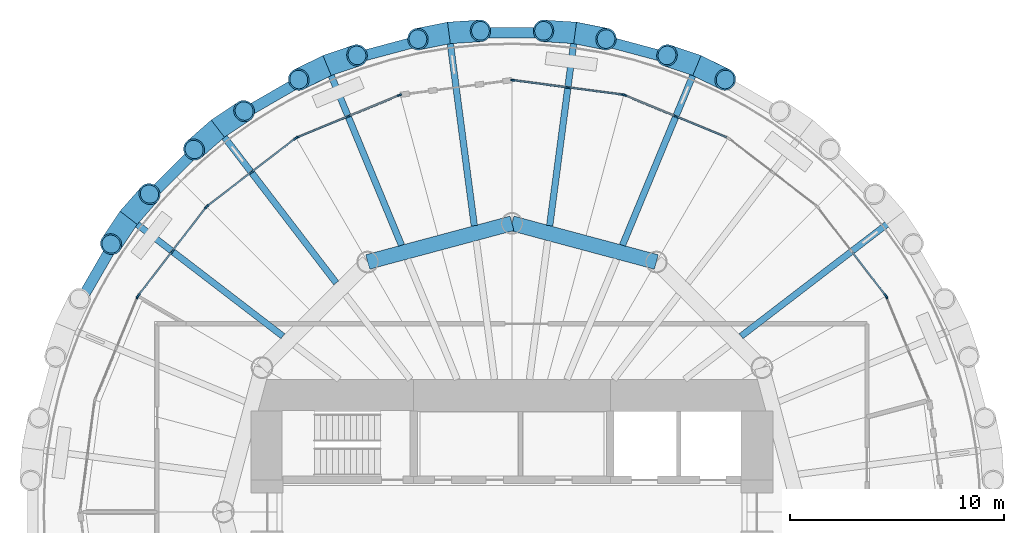
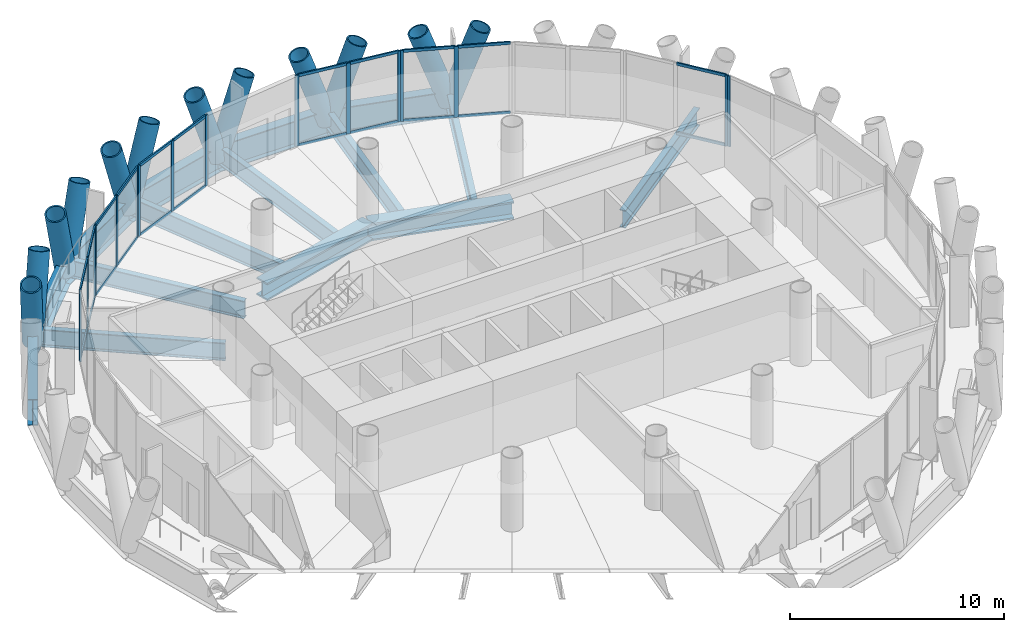
# One storey, part 5 of 13: 51 members, 15 beams, 8 elements without a shape of their own.
"""IFC4 building model written with IfcOpenShell, lengths in metres."""

from ifc_helpers import new_model, si_unit, direction, frame, origin, origin_2d, place, context, subcontext, project, spatial, rectangle, hollow_circle, i_section, extrude, material, material_profile, profile_set, type_object, element, aggregate, save


model = new_model("IFC4")

# Units and contexts
model_context = context("Model", 3, precision=1e-05, world=origin(), true_north=direction((0.0, 1.0)))
body_context = subcontext(model_context, "Body", "Model", "MODEL_VIEW")
ifc_project = project(units=[si_unit("LENGTHUNIT", "METRE"), si_unit("AREAUNIT", "SQUARE_METRE"), si_unit("VOLUMEUNIT", "CUBIC_METRE"), si_unit("PLANEANGLEUNIT", "RADIAN"), si_unit("MASSUNIT", "GRAM", prefix="KILO")], contexts=[model_context])

# Site, building, storey
site_placement = place(None, origin())
site = spatial("IfcSite", under=ifc_project, at=site_placement, CompositionType="ELEMENT")
building_placement = place(site_placement, origin())
building = spatial("IfcBuilding", under=site, at=building_placement, Name="Qaws Media Tower", CompositionType="ELEMENT")
storey_placement = place(building_placement, frame((0.0, 0.0, 219.199951171875)))
storey = spatial("IfcBuildingStorey", under=building, at=storey_placement, Name="L50", CompositionType="ELEMENT", Elevation=219.199951171875)

# Curtain wall, member
ifc_material_1 = material(Name="Aluminium and clear glass", Category="aluminium")
curtain_wall_type = type_object("IfcCurtainWallType", Name="Unitised curtain wall CW-C", PredefinedType="NOTDEFINED", material=ifc_material_1)
curtain_wall_1_placement = place(storey_placement, origin())
curtain_wall_1 = element("IfcCurtainWall", 1, at=curtain_wall_1_placement, inside=storey, type_object=curtain_wall_type, Name="CWC curtain wall L50-02", PredefinedType="NOTDEFINED")
ifc_material_2 = material(Name="Aluminium mullion", Category="aluminium")
ifc_material_profile_1 = material_profile(ifc_material_2, rectangle(XDim=0.080078125, YDim=0.199951171875, at=origin_2d()), Name="80x200")
ifc_profile_set_1 = profile_set([ifc_material_profile_1], Name="Aluminium mullion")
member_type_1 = type_object("IfcMemberType", Name="Curtain wall mullion 80x200", PredefinedType="MULLION", material=ifc_profile_set_1)
member_1_placement = place(storey_placement, frame((77.509033203125, 60.06298828125, 0.0), z_axis=(0.0, 0.0, 1.0), x_axis=(-0.923879493285, -0.382683527066, 0.0)))
member_1 = element("IfcMember", 2, at=member_1_placement, type_object=member_type_1, Name="CWC mullion 3", PredefinedType="MULLION", context=body_context, shape_type="SweptSolid", body=[
    extrude(rectangle(XDim=0.080078125, YDim=0.199951171875, at=origin_2d()), origin(), (0.0, 0.0, 1.0), 4.0400390625),
])
aggregate(curtain_wall_1, [member_1])

curtain_wall_2_placement = place(storey_placement, origin())
curtain_wall_2 = element("IfcCurtainWall", 3, at=curtain_wall_2_placement, inside=storey, type_object=curtain_wall_type, Name="CWC curtain wall L50-03", PredefinedType="NOTDEFINED")
member_2_placement = place(storey_placement, frame((77.469482421875, 60.1318359375, 0.0), z_axis=(0.0, 0.0, 1.0), x_axis=(-0.793353357865, -0.608761406106, 0.0)))
member_2 = element("IfcMember", 4, at=member_2_placement, type_object=member_type_1, Name="CWC mullion 1", PredefinedType="MULLION", context=body_context, shape_type="SweptSolid", body=[
    extrude(rectangle(XDim=0.080078125, YDim=0.199951171875, at=origin_2d()), origin(), (0.0, 0.0, 1.0), 4.0400390625),
])

# Curtain wall, members
curtain_wall_3_placement = place(storey_placement, origin())
curtain_wall_3 = element("IfcCurtainWall", 5, at=curtain_wall_3_placement, inside=storey, type_object=curtain_wall_type, Name="CWC curtain wall L50-05", PredefinedType="NOTDEFINED")
member_3_placement = place(storey_placement, frame((67.6640625, 68.502685546875, 0.0), z_axis=(0.0, 0.0, 1.0), x_axis=(-0.382683527066, -0.923879493285, 0.0)))
member_3 = element("IfcMember", 6, at=member_3_placement, type_object=member_type_1, Name="CWC mullion 2", PredefinedType="MULLION", context=body_context, shape_type="SweptSolid", body=[
    extrude(rectangle(XDim=0.080078125, YDim=0.199951171875, at=origin_2d()), origin(), (0.0, 0.0, 1.0), 4.0400390625),
])
member_4_placement = place(storey_placement, frame((65.26513671875, 69.496337890625, 0.0), z_axis=(0.0, 0.0, 1.0), x_axis=(-0.382683527066, -0.923879493285, 0.0)))
member_4 = element("IfcMember", 7, at=member_4_placement, type_object=member_type_1, Name="CWC mullion 3", PredefinedType="MULLION", context=body_context, shape_type="SweptSolid", body=[
    extrude(rectangle(XDim=0.080078125, YDim=0.199951171875, at=origin_2d()), origin(), (0.0, 0.0, 1.0), 4.0400390625),
])

curtain_wall_4_placement = place(storey_placement, origin())
curtain_wall_4 = element("IfcCurtainWall", 8, at=curtain_wall_4_placement, inside=storey, type_object=curtain_wall_type, Name="CWC curtain wall L50-06", PredefinedType="NOTDEFINED")
member_5_placement = place(storey_placement, frame((65.1884765625, 69.516845703125, 0.0), z_axis=(0.0, 0.0, 1.0), x_axis=(-0.130526127538, -0.991444869889, 0.0)))
member_5 = element("IfcMember", 9, at=member_5_placement, type_object=member_type_1, Name="CWC mullion 1", PredefinedType="MULLION", context=body_context, shape_type="SweptSolid", body=[
    extrude(rectangle(XDim=0.080078125, YDim=0.199951171875, at=origin_2d()), origin(), (0.0, 0.0, 1.0), 4.0400390625),
])
member_6_placement = place(storey_placement, frame((62.614013671875, 69.85595703125, 0.0), z_axis=(0.0, 0.0, 1.0), x_axis=(-0.130526127538, -0.991444869889, 0.0)))
member_6 = element("IfcMember", 10, at=member_6_placement, type_object=member_type_1, Name="CWC mullion 2", PredefinedType="MULLION", context=body_context, shape_type="SweptSolid", body=[
    extrude(rectangle(XDim=0.080078125, YDim=0.199951171875, at=origin_2d()), origin(), (0.0, 0.0, 1.0), 4.0400390625),
])
member_7_placement = place(storey_placement, frame((60.03955078125, 70.19482421875, 0.0), z_axis=(0.0, 0.0, 1.0), x_axis=(-0.130526127538, -0.991444869889, 0.0)))
member_7 = element("IfcMember", 11, at=member_7_placement, type_object=member_type_1, Name="CWC mullion 3", PredefinedType="MULLION", context=body_context, shape_type="SweptSolid", body=[
    extrude(rectangle(XDim=0.080078125, YDim=0.199951171875, at=origin_2d()), origin(), (0.0, 0.0, 1.0), 4.0400390625),
])

curtain_wall_5_placement = place(storey_placement, origin())
curtain_wall_5 = element("IfcCurtainWall", 12, at=curtain_wall_5_placement, inside=storey, type_object=curtain_wall_type, Name="CWC curtain wall L50-08", PredefinedType="NOTDEFINED")
member_8_placement = place(storey_placement, frame((54.73486328125, 69.496337890625, 0.0), z_axis=(0.0, 0.0, 1.0), x_axis=(0.382683527066, -0.923879493285, 0.0)))
member_8 = element("IfcMember", 13, at=member_8_placement, type_object=member_type_1, Name="CWC mullion 1", PredefinedType="MULLION", context=body_context, shape_type="SweptSolid", body=[
    extrude(rectangle(XDim=0.080078125, YDim=0.199951171875, at=origin_2d()), origin(), (0.0, 0.0, 1.0), 4.0400390625),
])
member_9_placement = place(storey_placement, frame((52.3359375, 68.502685546875, 0.0), z_axis=(0.0, 0.0, 1.0), x_axis=(0.382683527066, -0.923879493285, 0.0)))
member_9 = element("IfcMember", 14, at=member_9_placement, type_object=member_type_1, Name="CWC mullion 2", PredefinedType="MULLION", context=body_context, shape_type="SweptSolid", body=[
    extrude(rectangle(XDim=0.080078125, YDim=0.199951171875, at=origin_2d()), origin(), (0.0, 0.0, 1.0), 4.0400390625),
])
member_10_placement = place(storey_placement, frame((49.93701171875, 67.509033203125, 0.0), z_axis=(0.0, 0.0, 1.0), x_axis=(0.382683527066, -0.923879493285, 0.0)))
member_10 = element("IfcMember", 15, at=member_10_placement, type_object=member_type_1, Name="CWC mullion 3", PredefinedType="MULLION", context=body_context, shape_type="SweptSolid", body=[
    extrude(rectangle(XDim=0.080078125, YDim=0.199951171875, at=origin_2d()), origin(), (0.0, 0.0, 1.0), 4.0400390625),
])

curtain_wall_6_placement = place(storey_placement, origin())
curtain_wall_6 = element("IfcCurtainWall", 16, at=curtain_wall_6_placement, inside=storey, type_object=curtain_wall_type, Name="CWC curtain wall L50-09", PredefinedType="NOTDEFINED")
member_11_placement = place(storey_placement, frame((49.8681640625, 67.469482421875, 0.0), z_axis=(0.0, 0.0, 1.0), x_axis=(0.608761406106, -0.793353357865, 0.0)))
member_11 = element("IfcMember", 17, at=member_11_placement, type_object=member_type_1, Name="CWC mullion 1", PredefinedType="MULLION", context=body_context, shape_type="SweptSolid", body=[
    extrude(rectangle(XDim=0.080078125, YDim=0.199951171875, at=origin_2d()), origin(), (0.0, 0.0, 1.0), 4.0400390625),
])
member_12_placement = place(storey_placement, frame((47.80810546875, 65.888671875, 0.0), z_axis=(0.0, 0.0, 1.0), x_axis=(0.608761406106, -0.793353357865, 0.0)))
member_12 = element("IfcMember", 18, at=member_12_placement, type_object=member_type_1, Name="CWC mullion 2", PredefinedType="MULLION", context=body_context, shape_type="SweptSolid", body=[
    extrude(rectangle(XDim=0.080078125, YDim=0.199951171875, at=origin_2d()), origin(), (0.0, 0.0, 1.0), 4.0400390625),
])
member_13_placement = place(storey_placement, frame((45.748291015625, 64.307861328125, 0.0), z_axis=(0.0, 0.0, 1.0), x_axis=(0.608761406106, -0.793353357865, 0.0)))
member_13 = element("IfcMember", 19, at=member_13_placement, type_object=member_type_1, Name="CWC mullion 3", PredefinedType="MULLION", context=body_context, shape_type="SweptSolid", body=[
    extrude(rectangle(XDim=0.080078125, YDim=0.199951171875, at=origin_2d()), origin(), (0.0, 0.0, 1.0), 4.0400390625),
])

curtain_wall_7_placement = place(storey_placement, origin())
curtain_wall_7 = element("IfcCurtainWall", 20, at=curtain_wall_7_placement, inside=storey, type_object=curtain_wall_type, Name="CWC curtain wall L50-10", PredefinedType="NOTDEFINED")
member_14_placement = place(storey_placement, frame((45.692138671875, 64.251708984375, 0.0), z_axis=(0.0, 0.0, 1.0), x_axis=(0.793353357865, -0.608761406106, 0.0)))
member_14 = element("IfcMember", 21, at=member_14_placement, type_object=member_type_1, Name="CWC mullion 1", PredefinedType="MULLION", context=body_context, shape_type="SweptSolid", body=[
    extrude(rectangle(XDim=0.080078125, YDim=0.199951171875, at=origin_2d()), origin(), (0.0, 0.0, 1.0), 4.0400390625),
])
member_15_placement = place(storey_placement, frame((44.111328125, 62.19189453125, 0.0), z_axis=(0.0, 0.0, 1.0), x_axis=(0.793353357865, -0.608761406106, 0.0)))
member_15 = element("IfcMember", 22, at=member_15_placement, type_object=member_type_1, Name="CWC mullion 2", PredefinedType="MULLION", context=body_context, shape_type="SweptSolid", body=[
    extrude(rectangle(XDim=0.080078125, YDim=0.199951171875, at=origin_2d()), origin(), (0.0, 0.0, 1.0), 4.0400390625),
])
member_16_placement = place(storey_placement, frame((42.530517578125, 60.1318359375, 0.0), z_axis=(0.0, 0.0, 1.0), x_axis=(0.793353357865, -0.608761406106, 0.0)))
member_16 = element("IfcMember", 23, at=member_16_placement, type_object=member_type_1, Name="CWC mullion 3", PredefinedType="MULLION", context=body_context, shape_type="SweptSolid", body=[
    extrude(rectangle(XDim=0.080078125, YDim=0.199951171875, at=origin_2d()), origin(), (0.0, 0.0, 1.0), 4.0400390625),
])

# Curtain wall, member
curtain_wall_8_placement = place(storey_placement, origin())
curtain_wall_8 = element("IfcCurtainWall", 24, at=curtain_wall_8_placement, inside=storey, type_object=curtain_wall_type, Name="CWC curtain wall L50-11", PredefinedType="NOTDEFINED")
member_17_placement = place(storey_placement, frame((42.490966796875, 60.06298828125, 0.0), z_axis=(0.0, 0.0, 1.0), x_axis=(0.923879493285, -0.382683527066, 0.0)))
member_17 = element("IfcMember", 25, at=member_17_placement, type_object=member_type_1, Name="CWC mullion 1", PredefinedType="MULLION", context=body_context, shape_type="SweptSolid", body=[
    extrude(rectangle(XDim=0.080078125, YDim=0.199951171875, at=origin_2d()), origin(), (0.0, 0.0, 1.0), 4.0400390625),
])
aggregate(curtain_wall_8, [member_17])

# Member
ifc_material_3 = material(Name="Aluminium transom", Category="aluminium")
ifc_material_profile_2 = material_profile(ifc_material_3, rectangle(XDim=0.080078125, YDim=0.159912109375, at=origin_2d()), Name="80x160")
ifc_profile_set_2 = profile_set([ifc_material_profile_2], Name="Aluminium transom")
member_type_2 = type_object("IfcMemberType", Name="Curtain wall transom 80x160", PredefinedType="USERDEFINED", material=ifc_profile_set_2)
member_18_placement = place(storey_placement, frame((77.445068359375, 60.16357421875, 0.0400390625), z_axis=(-0.608749210327, 0.793362715866, 0.0), x_axis=(-0.793362715866, -0.608749210327, 0.0)))
member_18 = element("IfcMember", 26, at=member_18_placement, type_object=member_type_2, Name="CWC transom 1.1", ObjectType="TRANSOM", PredefinedType="USERDEFINED", context=body_context, shape_type="SweptSolid", body=[
    extrude(rectangle(XDim=0.080078125, YDim=0.159912109375, at=origin_2d()), origin(), (0.0, 0.0, 1.0), 2.5166015625),
])

member_19_placement = place(storey_placement, frame((77.445068359375, 60.16357421875, 4.0), z_axis=(-0.608749210327, 0.793362715866, 0.0), x_axis=(-0.793362715866, -0.608749210327, 0.0)))
member_19 = element("IfcMember", 27, at=member_19_placement, type_object=member_type_2, Name="CWC transom 1.2", ObjectType="TRANSOM", PredefinedType="USERDEFINED", context=body_context, shape_type="SweptSolid", body=[
    extrude(rectangle(XDim=0.080078125, YDim=0.159912109375, at=origin_2d()), origin(), (0.0, 0.0, 1.0), 2.5166015625),
])

aggregate(curtain_wall_2, [member_2, member_18, member_19])

member_20_placement = place(storey_placement, frame((70.026123046875, 67.5244140625, 0.0400390625), z_axis=(-0.923912796816, 0.382603115355, 0.0), x_axis=(-0.382603115355, -0.923912796816, 0.0)))
member_20 = element("IfcMember", 28, at=member_20_placement, type_object=member_type_2, Name="CWC transom 1.1", ObjectType="TRANSOM", PredefinedType="USERDEFINED", context=body_context, shape_type="SweptSolid", body=[
    extrude(rectangle(XDim=0.080078125, YDim=0.159912109375, at=origin_2d()), origin(), (0.0, 0.0, 1.0), 2.5166015625),
])

member_21_placement = place(storey_placement, frame((70.026123046875, 67.5244140625, 4.0), z_axis=(-0.923912796816, 0.382603115355, 0.0), x_axis=(-0.382603115355, -0.923912796816, 0.0)))
member_21 = element("IfcMember", 29, at=member_21_placement, type_object=member_type_2, Name="CWC transom 1.2", ObjectType="TRANSOM", PredefinedType="USERDEFINED", context=body_context, shape_type="SweptSolid", body=[
    extrude(rectangle(XDim=0.080078125, YDim=0.159912109375, at=origin_2d()), origin(), (0.0, 0.0, 1.0), 2.5166015625),
])

member_22_placement = place(storey_placement, frame((67.627197265625, 68.51806640625, 0.0400390625), z_axis=(-0.923878502515, 0.382685918986, 0.0), x_axis=(-0.382685918986, -0.923878502515, 0.0)))
member_22 = element("IfcMember", 30, at=member_22_placement, type_object=member_type_2, Name="CWC transom 2.1", ObjectType="TRANSOM", PredefinedType="USERDEFINED", context=body_context, shape_type="SweptSolid", body=[
    extrude(rectangle(XDim=0.080078125, YDim=0.159912109375, at=origin_2d()), origin(), (0.0, 0.0, 1.0), 2.516845703125),
])

member_23_placement = place(storey_placement, frame((67.627197265625, 68.51806640625, 4.0), z_axis=(-0.923878502515, 0.382685918986, 0.0), x_axis=(-0.382685918986, -0.923878502515, 0.0)))
member_23 = element("IfcMember", 31, at=member_23_placement, type_object=member_type_2, Name="CWC transom 2.2", ObjectType="TRANSOM", PredefinedType="USERDEFINED", context=body_context, shape_type="SweptSolid", body=[
    extrude(rectangle(XDim=0.080078125, YDim=0.159912109375, at=origin_2d()), origin(), (0.0, 0.0, 1.0), 2.516845703125),
])

aggregate(curtain_wall_3, [member_3, member_4, member_20, member_21, member_22, member_23])

member_24_placement = place(storey_placement, frame((65.14892578125, 69.522216796875, 0.0400390625), z_axis=(-0.99145099329, 0.130479607238, 0.0), x_axis=(-0.130479607238, -0.99145099329, 0.0)))
member_24 = element("IfcMember", 32, at=member_24_placement, type_object=member_type_2, Name="CWC transom 1.1", ObjectType="TRANSOM", PredefinedType="USERDEFINED", context=body_context, shape_type="SweptSolid", body=[
    extrude(rectangle(XDim=0.080078125, YDim=0.159912109375, at=origin_2d()), origin(), (0.0, 0.0, 1.0), 2.5166015625),
])

member_25_placement = place(storey_placement, frame((65.14892578125, 69.522216796875, 4.0), z_axis=(-0.99145099329, 0.130479607238, 0.0), x_axis=(-0.130479607238, -0.99145099329, 0.0)))
member_25 = element("IfcMember", 33, at=member_25_placement, type_object=member_type_2, Name="CWC transom 1.2", ObjectType="TRANSOM", PredefinedType="USERDEFINED", context=body_context, shape_type="SweptSolid", body=[
    extrude(rectangle(XDim=0.080078125, YDim=0.159912109375, at=origin_2d()), origin(), (0.0, 0.0, 1.0), 2.5166015625),
])

member_26_placement = place(storey_placement, frame((62.574462890625, 69.861083984375, 0.0400390625), z_axis=(-0.99145099329, 0.130479607238, 0.0), x_axis=(-0.130479607238, -0.99145099329, 0.0)))
member_26 = element("IfcMember", 34, at=member_26_placement, type_object=member_type_2, Name="CWC transom 2.1", ObjectType="TRANSOM", PredefinedType="USERDEFINED", context=body_context, shape_type="SweptSolid", body=[
    extrude(rectangle(XDim=0.080078125, YDim=0.159912109375, at=origin_2d()), origin(), (0.0, 0.0, 1.0), 2.5166015625),
])

member_27_placement = place(storey_placement, frame((62.574462890625, 69.861083984375, 4.0), z_axis=(-0.99145099329, 0.130479607238, 0.0), x_axis=(-0.130479607238, -0.99145099329, 0.0)))
member_27 = element("IfcMember", 35, at=member_27_placement, type_object=member_type_2, Name="CWC transom 2.2", ObjectType="TRANSOM", PredefinedType="USERDEFINED", context=body_context, shape_type="SweptSolid", body=[
    extrude(rectangle(XDim=0.080078125, YDim=0.159912109375, at=origin_2d()), origin(), (0.0, 0.0, 1.0), 2.5166015625),
])

aggregate(curtain_wall_4, [member_5, member_6, member_7, member_24, member_25, member_26, member_27])

member_28_placement = place(storey_placement, frame((54.697998046875, 69.481201171875, 0.0400390625), z_axis=(-0.923878502515, -0.382685918986, 0.0), x_axis=(0.382685918986, -0.923878502515, 0.0)))
member_28 = element("IfcMember", 36, at=member_28_placement, type_object=member_type_2, Name="CWC transom 1.1", ObjectType="TRANSOM", PredefinedType="USERDEFINED", context=body_context, shape_type="SweptSolid", body=[
    extrude(rectangle(XDim=0.080078125, YDim=0.159912109375, at=origin_2d()), origin(), (0.0, 0.0, 1.0), 2.516845703125),
])

member_29_placement = place(storey_placement, frame((54.697998046875, 69.481201171875, 4.0), z_axis=(-0.923878502515, -0.382685918986, 0.0), x_axis=(0.382685918986, -0.923878502515, 0.0)))
member_29 = element("IfcMember", 37, at=member_29_placement, type_object=member_type_2, Name="CWC transom 1.2", ObjectType="TRANSOM", PredefinedType="USERDEFINED", context=body_context, shape_type="SweptSolid", body=[
    extrude(rectangle(XDim=0.080078125, YDim=0.159912109375, at=origin_2d()), origin(), (0.0, 0.0, 1.0), 2.516845703125),
])

member_30_placement = place(storey_placement, frame((52.299072265625, 68.4873046875, 0.0400390625), z_axis=(-0.923912796816, -0.382603115355, 0.0), x_axis=(0.382603115355, -0.923912796816, 0.0)))
member_30 = element("IfcMember", 38, at=member_30_placement, type_object=member_type_2, Name="CWC transom 2.1", ObjectType="TRANSOM", PredefinedType="USERDEFINED", context=body_context, shape_type="SweptSolid", body=[
    extrude(rectangle(XDim=0.080078125, YDim=0.159912109375, at=origin_2d()), origin(), (0.0, 0.0, 1.0), 2.5166015625),
])

member_31_placement = place(storey_placement, frame((52.299072265625, 68.4873046875, 4.0), z_axis=(-0.923912796816, -0.382603115355, 0.0), x_axis=(0.382603115355, -0.923912796816, 0.0)))
member_31 = element("IfcMember", 39, at=member_31_placement, type_object=member_type_2, Name="CWC transom 2.2", ObjectType="TRANSOM", PredefinedType="USERDEFINED", context=body_context, shape_type="SweptSolid", body=[
    extrude(rectangle(XDim=0.080078125, YDim=0.159912109375, at=origin_2d()), origin(), (0.0, 0.0, 1.0), 2.5166015625),
])

aggregate(curtain_wall_5, [member_8, member_9, member_10, member_28, member_29, member_30, member_31])

member_32_placement = place(storey_placement, frame((49.83642578125, 67.445068359375, 0.0400390625), z_axis=(-0.793362715866, -0.608749210327, 0.0), x_axis=(0.608749210327, -0.793362715866, 0.0)))
member_32 = element("IfcMember", 40, at=member_32_placement, type_object=member_type_2, Name="CWC transom 1.1", ObjectType="TRANSOM", PredefinedType="USERDEFINED", context=body_context, shape_type="SweptSolid", body=[
    extrude(rectangle(XDim=0.080078125, YDim=0.159912109375, at=origin_2d()), origin(), (0.0, 0.0, 1.0), 2.5166015625),
])

member_33_placement = place(storey_placement, frame((49.83642578125, 67.445068359375, 4.0), z_axis=(-0.793362715866, -0.608749210327, 0.0), x_axis=(0.608749210327, -0.793362715866, 0.0)))
member_33 = element("IfcMember", 41, at=member_33_placement, type_object=member_type_2, Name="CWC transom 1.2", ObjectType="TRANSOM", PredefinedType="USERDEFINED", context=body_context, shape_type="SweptSolid", body=[
    extrude(rectangle(XDim=0.080078125, YDim=0.159912109375, at=origin_2d()), origin(), (0.0, 0.0, 1.0), 2.5166015625),
])

member_34_placement = place(storey_placement, frame((47.7763671875, 65.8642578125, 0.0400390625), z_axis=(-0.793326761499, -0.608796065599, 0.0), x_axis=(0.608796065599, -0.793326761499, 0.0)))
member_34 = element("IfcMember", 42, at=member_34_placement, type_object=member_type_2, Name="CWC transom 2.1", ObjectType="TRANSOM", PredefinedType="USERDEFINED", context=body_context, shape_type="SweptSolid", body=[
    extrude(rectangle(XDim=0.080078125, YDim=0.159912109375, at=origin_2d()), origin(), (0.0, 0.0, 1.0), 2.516357421875),
])

member_35_placement = place(storey_placement, frame((47.7763671875, 65.8642578125, 4.0), z_axis=(-0.793326761499, -0.608796065599, 0.0), x_axis=(0.608796065599, -0.793326761499, 0.0)))
member_35 = element("IfcMember", 43, at=member_35_placement, type_object=member_type_2, Name="CWC transom 2.2", ObjectType="TRANSOM", PredefinedType="USERDEFINED", context=body_context, shape_type="SweptSolid", body=[
    extrude(rectangle(XDim=0.080078125, YDim=0.159912109375, at=origin_2d()), origin(), (0.0, 0.0, 1.0), 2.516357421875),
])

aggregate(curtain_wall_6, [member_11, member_12, member_13, member_32, member_33, member_34, member_35])

member_36_placement = place(storey_placement, frame((45.667724609375, 64.219970703125, 0.0400390625), z_axis=(-0.608796065599, -0.793326761499, 0.0), x_axis=(0.793326761499, -0.608796065599, 0.0)))
member_36 = element("IfcMember", 44, at=member_36_placement, type_object=member_type_2, Name="CWC transom 1.1", ObjectType="TRANSOM", PredefinedType="USERDEFINED", context=body_context, shape_type="SweptSolid", body=[
    extrude(rectangle(XDim=0.080078125, YDim=0.159912109375, at=origin_2d()), origin(), (0.0, 0.0, 1.0), 2.516357421875),
])

member_37_placement = place(storey_placement, frame((45.667724609375, 64.219970703125, 4.0), z_axis=(-0.608796065599, -0.793326761499, 0.0), x_axis=(0.793326761499, -0.608796065599, 0.0)))
member_37 = element("IfcMember", 45, at=member_37_placement, type_object=member_type_2, Name="CWC transom 1.2", ObjectType="TRANSOM", PredefinedType="USERDEFINED", context=body_context, shape_type="SweptSolid", body=[
    extrude(rectangle(XDim=0.080078125, YDim=0.159912109375, at=origin_2d()), origin(), (0.0, 0.0, 1.0), 2.516357421875),
])

member_38_placement = place(storey_placement, frame((44.0869140625, 62.16015625, 0.0400390625), z_axis=(-0.608749210327, -0.793362715866, 0.0), x_axis=(0.793362715866, -0.608749210327, 0.0)))
member_38 = element("IfcMember", 46, at=member_38_placement, type_object=member_type_2, Name="CWC transom 2.1", ObjectType="TRANSOM", PredefinedType="USERDEFINED", context=body_context, shape_type="SweptSolid", body=[
    extrude(rectangle(XDim=0.080078125, YDim=0.159912109375, at=origin_2d()), origin(), (0.0, 0.0, 1.0), 2.5166015625),
])

member_39_placement = place(storey_placement, frame((44.0869140625, 62.16015625, 4.0), z_axis=(-0.608749210327, -0.793362715866, 0.0), x_axis=(0.793362715866, -0.608749210327, 0.0)))
member_39 = element("IfcMember", 47, at=member_39_placement, type_object=member_type_2, Name="CWC transom 2.2", ObjectType="TRANSOM", PredefinedType="USERDEFINED", context=body_context, shape_type="SweptSolid", body=[
    extrude(rectangle(XDim=0.080078125, YDim=0.159912109375, at=origin_2d()), origin(), (0.0, 0.0, 1.0), 2.5166015625),
])

aggregate(curtain_wall_7, [member_14, member_15, member_16, member_36, member_37, member_38, member_39])

# Members
ifc_material_4 = material(Name="Steel S460", Category="steel")
ifc_material_profile_3 = material_profile(ifc_material_4, hollow_circle(Radius=0.508056640625, WallThickness=0.070068359375, at=origin_2d()), Name="CHS 1016x70")
ifc_profile_set_3 = profile_set([ifc_material_profile_3], Name="Steel S460")
member_type_3 = type_object("IfcMemberType", Name="Diagrid member CHS 1016x70", PredefinedType="USERDEFINED", material=ifc_profile_set_3)
for number, where, z_axis, x_axis, name in (
    (48, (68.648681640625, 70.879638671875, -0.909912109375), (-0.314466390826, 0.106375727673, 0.943289506781), (-0.320436573379, -0.947269973366, 0.0), "DG3 diagrid L50 A05"),
    (49, (68.648681640625, 70.879638671875, -0.909912109375), (0.297576817485, -0.147170845427, 0.943286160161), (0.44331137967, 0.896367681621, 0.0), "DG3 diagrid L50 B05"),
    (50, (62.949951171875, 72.40673828125, -0.909912109375), (-0.331298451935, 0.02132987385, 0.943284883918), (-0.064249631042, -0.997933857984, 0.0), "DG3 diagrid L50 A06"),
    (51, (62.949951171875, 72.40673828125, -0.909912109375), (0.325490917844, -0.065142050269, 0.943298561267), (0.196243201091, 0.980555253938, 0.0), "DG3 diagrid L50 B06"),
    (52, (57.050048828125, 72.40673828125, -0.909912109375), (-0.325490917844, -0.065142050269, 0.943298561267), (0.196243201091, -0.980555253938, 0.0), "DG3 diagrid L50 A07"),
    (53, (57.050048828125, 72.40673828125, -0.909912109375), (0.331298451935, 0.02132987385, 0.943284883918), (-0.064249631042, 0.997933857984, 0.0), "DG3 diagrid L50 B07"),
    (54, (51.351318359375, 70.879638671875, -0.909912109375), (-0.297576817485, -0.147170845427, 0.943286160161), (0.44331137967, -0.896367681621, 0.0), "DG3 diagrid L50 A08"),
    (55, (51.351318359375, 70.879638671875, -0.909912109375), (0.314466390826, 0.106375727673, 0.943289506781), (-0.320436573379, 0.947269973366, 0.0), "DG3 diagrid L50 B08"),
    (56, (46.241943359375, 67.9296875, -0.909912109375), (-0.249328938977, -0.219115557544, 0.943304538646), (0.660128730704, -0.751152487115, 0.0), "DG3 diagrid L50 A09"),
):
    element("IfcMember", number, at=place(storey_placement, frame(where, z_axis=z_axis, x_axis=x_axis)), inside=storey, type_object=member_type_3, Name=name, ObjectType="DIAGRID", PredefinedType="USERDEFINED", context=body_context, shape_type="SweptSolid", body=[
        extrude(hollow_circle(Radius=0.508056640625, WallThickness=0.070068359375, at=origin_2d()), origin(), (0.0, 0.0, 1.0), 4.452392578125),
    ])
for number, where, z_axis, x_axis, name in (
    (57, (46.241943359375, 67.9296875, -0.909912109375), (0.27624353442, 0.184180633608, 0.943274617434), (-0.554738307145, 0.832024885798, 0.0), "DG3 diagrid L50 B09"),
    (58, (42.0703125, 63.758056640625, -0.909912109375), (-0.184180633608, -0.27624353442, 0.943274617434), (0.832024885798, -0.554738307145, 0.0), "DG3 diagrid L50 A10"),
):
    element("IfcMember", number, at=place(storey_placement, frame(where, z_axis=z_axis, x_axis=x_axis)), inside=storey, type_object=member_type_3, Name=name, ObjectType="DIAGRID", PredefinedType="USERDEFINED", context=body_context, shape_type="SweptSolid", body=[
        extrude(hollow_circle(Radius=0.508056640625, WallThickness=0.070068359375, at=origin_2d()), origin(), (0.0, 0.0, 1.0), 4.45263671875),
    ])
member_40_placement = place(storey_placement, frame((42.0703125, 63.758056640625, -0.909912109375), z_axis=(0.219115557544, 0.249328938977, 0.943304538646), x_axis=(-0.751152487115, 0.660128730704, 0.0)))
element("IfcMember", 59, at=member_40_placement, inside=storey, type_object=member_type_3, Name="DG3 diagrid L50 B10", ObjectType="DIAGRID", PredefinedType="USERDEFINED", context=body_context, shape_type="SweptSolid", body=[
    extrude(hollow_circle(Radius=0.508056640625, WallThickness=0.070068359375, at=origin_2d()), origin(), (0.0, 0.0, 1.0), 4.452392578125),
])

# Beams
ifc_material_5 = material(Name="Steel S460", Category="steel")
ifc_material_profile_4 = material_profile(ifc_material_5, i_section(OverallWidth=0.5, OverallDepth=1.5, WebThickness=0.02001953125, FlangeThickness=0.0400390625, at=origin_2d()), Name="PG 1500x500")
ifc_profile_set_4 = profile_set([ifc_material_profile_4], Name="Steel S460")
beam_type_1 = type_object("IfcBeamType", Name="Edge ring beam PG 1500x500", PredefinedType="BEAM", material=ifc_profile_set_4)
for number, where, z_axis, x_axis, name in (
    (60, (68.648681640625, 70.879638671875, -0.909912109375), (-0.965920343576, 0.258839506001, 0.0), (-0.258839506001, -0.965920343576, 0.0), "RB4 edge ring beam L50-05"),
    (61, (62.949951171875, 72.40673828125, -0.909912109375), (-1.0, 0.0, 0.0), (0.0, -1.0, 0.0), "RB4 edge ring beam L50-06"),
    (62, (57.050048828125, 72.40673828125, -0.909912109375), (-0.965920343576, -0.258839506001, 0.0), (0.258839506001, -0.965920343576, 0.0), "RB4 edge ring beam L50-07"),
    (63, (51.351318359375, 70.879638671875, -0.909912109375), (-0.86602157697, -0.500006628179, 0.0), (0.500006628179, -0.86602157697, 0.0), "RB4 edge ring beam L50-08"),
):
    element("IfcBeam", number, at=place(storey_placement, frame(where, z_axis=z_axis, x_axis=x_axis)), inside=storey, type_object=beam_type_1, Name=name, PredefinedType="BEAM", context=body_context, shape_type="SweptSolid", body=[
        extrude(i_section(OverallWidth=0.5, OverallDepth=1.5, WebThickness=0.02001953125, FlangeThickness=0.0400390625, at=origin_2d()), origin(), (0.0, 0.0, 1.0), 5.89990234375),
    ])
beam_1_placement = place(storey_placement, frame((46.241943359375, 67.9296875, -0.909912109375), z_axis=(-0.707106781187, -0.707106781187, 0.0), x_axis=(0.707106781187, -0.707106781187, 0.0)))
element("IfcBeam", 64, at=beam_1_placement, inside=storey, type_object=beam_type_1, Name="RB4 edge ring beam L50-09", PredefinedType="BEAM", context=body_context, shape_type="SweptSolid", body=[
    extrude(i_section(OverallWidth=0.5, OverallDepth=1.5, WebThickness=0.02001953125, FlangeThickness=0.0400390625, at=origin_2d()), origin(), (0.0, 0.0, 1.0), 5.899658203125),
])
beam_2_placement = place(storey_placement, frame((42.0703125, 63.758056640625, -0.909912109375), z_axis=(-0.500006628179, -0.86602157697, 0.0), x_axis=(0.86602157697, -0.500006628179, 0.0)))
element("IfcBeam", 65, at=beam_2_placement, inside=storey, type_object=beam_type_1, Name="RB4 edge ring beam L50-10", PredefinedType="BEAM", context=body_context, shape_type="SweptSolid", body=[
    extrude(i_section(OverallWidth=0.5, OverallDepth=1.5, WebThickness=0.02001953125, FlangeThickness=0.0400390625, at=origin_2d()), origin(), (0.0, 0.0, 1.0), 5.89990234375),
])
ifc_material_6 = material(Name="Steel S460", Category="steel")
ifc_material_profile_5 = material_profile(ifc_material_6, i_section(OverallWidth=0.699951171875, OverallDepth=1.0, WebThickness=0.034912109375, FlangeThickness=0.090087890625, at=origin_2d()), Name="PG 1000x700")
ifc_profile_set_5 = profile_set([ifc_material_profile_5], Name="Steel S460")
beam_type_2 = type_object("IfcBeamType", Name="Inner ring girder PG 1000x700", PredefinedType="BEAM", material=ifc_profile_set_5)
for number, where, z_axis, x_axis, name in (
    (66, (66.75, 61.69140625, -0.659912109375), (-0.965928090778, 0.258810593767, 0.0), (-0.258810593767, -0.965928090778, 0.0), "B3 inner ring beam L50 I03-I04"),
    (67, (60.0, 63.5, -0.659912109375), (-0.965928090778, -0.258810593767, 0.0), (0.258810593767, -0.965928090778, 0.0), "B3 inner ring beam L50 I04-I05"),
):
    element("IfcBeam", number, at=place(storey_placement, frame(where, z_axis=z_axis, x_axis=x_axis)), inside=storey, type_object=beam_type_2, Name=name, PredefinedType="BEAM", context=body_context, shape_type="SweptSolid", body=[
        extrude(i_section(OverallWidth=0.699951171875, OverallDepth=1.0, WebThickness=0.034912109375, FlangeThickness=0.090087890625, at=origin_2d()), origin(), (0.0, 0.0, 1.0), 6.988037109375),
    ])
ifc_material_7 = material(Name="Steel S355", Category="steel")
ifc_material_profile_6 = material_profile(ifc_material_7, i_section(OverallWidth=0.302001953125, OverallDepth=1.008056640625, WebThickness=0.02099609375, FlangeThickness=0.0400390625, FilletRadius=0.030029296875, at=origin_2d()), Name="HE 1000 M")
ifc_profile_set_6 = profile_set([ifc_material_profile_6], Name="Steel S355")
beam_type_3 = type_object("IfcBeamType", Name="Radial beam HE 1000 M", PredefinedType="BEAM", material=ifc_profile_set_6)
beam_3_placement = place(storey_placement, frame((70.714599609375, 58.2216796875, -0.6640625), z_axis=(0.793350934935, 0.608764563717, 0.0), x_axis=(-0.608764563717, 0.793350934935, 0.0)))
element("IfcBeam", 68, at=beam_3_placement, inside=storey, type_object=beam_type_3, Name="B1 radial beam L50 03", PredefinedType="BEAM", context=body_context, shape_type="SweptSolid", body=[
    extrude(i_section(OverallWidth=0.302001953125, OverallDepth=1.008056640625, WebThickness=0.02099609375, FlangeThickness=0.0400390625, FilletRadius=0.030029296875, at=origin_2d()), origin(), (0.0, 0.0, 1.0), 9.094482421875),
])
beam_4_placement = place(storey_placement, frame((65.16845703125, 62.4775390625, -0.6640625), z_axis=(0.382679771888, 0.923881048722, 0.0), x_axis=(-0.923881048722, 0.382679771888, 0.0)))
element("IfcBeam", 69, at=beam_4_placement, inside=storey, type_object=beam_type_3, Name="B1 radial beam L50 05", PredefinedType="BEAM", context=body_context, shape_type="SweptSolid", body=[
    extrude(i_section(OverallWidth=0.302001953125, OverallDepth=1.008056640625, WebThickness=0.02099609375, FlangeThickness=0.0400390625, FilletRadius=0.030029296875, at=origin_2d()), origin(), (0.0, 0.0, 1.0), 9.09423828125),
])
for number, where, z_axis, x_axis, name in (
    (70, (61.762939453125, 63.389892578125, -0.6640625), (0.130517703661, 0.991445978877, 0.0), (-0.991445978877, 0.130517703661, 0.0), "B1 radial beam L50 06"),
    (71, (58.237060546875, 63.389892578125, -0.6640625), (-0.130517703661, 0.991445978877, 0.0), (-0.991445978877, -0.130517703661, 0.0), "B1 radial beam L50 07"),
):
    element("IfcBeam", number, at=place(storey_placement, frame(where, z_axis=z_axis, x_axis=x_axis)), inside=storey, type_object=beam_type_3, Name=name, PredefinedType="BEAM", context=body_context, shape_type="SweptSolid", body=[
        extrude(i_section(OverallWidth=0.302001953125, OverallDepth=1.008056640625, WebThickness=0.02099609375, FlangeThickness=0.0400390625, FilletRadius=0.030029296875, at=origin_2d()), origin(), (0.0, 0.0, 1.0), 9.0947265625),
    ])
beam_5_placement = place(storey_placement, frame((54.83154296875, 62.4775390625, -0.6640625), z_axis=(-0.382679771888, 0.923881048722, 0.0), x_axis=(-0.923881048722, -0.382679771888, 0.0)))
element("IfcBeam", 72, at=beam_5_placement, inside=storey, type_object=beam_type_3, Name="B1 radial beam L50 08", PredefinedType="BEAM", context=body_context, shape_type="SweptSolid", body=[
    extrude(i_section(OverallWidth=0.302001953125, OverallDepth=1.008056640625, WebThickness=0.02099609375, FlangeThickness=0.0400390625, FilletRadius=0.030029296875, at=origin_2d()), origin(), (0.0, 0.0, 1.0), 9.09423828125),
])
for number, where, z_axis, x_axis, name in (
    (73, (51.7783203125, 60.714599609375, -0.6640625), (-0.608764563717, 0.793350934935, 0.0), (-0.793350934935, -0.608764563717, 0.0), "B1 radial beam L50 09"),
    (74, (49.285400390625, 58.2216796875, -0.6640625), (-0.793350934935, 0.608764563717, 0.0), (-0.608764563717, -0.793350934935, 0.0), "B1 radial beam L50 10"),
):
    element("IfcBeam", number, at=place(storey_placement, frame(where, z_axis=z_axis, x_axis=x_axis)), inside=storey, type_object=beam_type_3, Name=name, PredefinedType="BEAM", context=body_context, shape_type="SweptSolid", body=[
        extrude(i_section(OverallWidth=0.302001953125, OverallDepth=1.008056640625, WebThickness=0.02099609375, FlangeThickness=0.0400390625, FilletRadius=0.030029296875, at=origin_2d()), origin(), (0.0, 0.0, 1.0), 9.094482421875),
    ])

save(model, "model.ifc")
